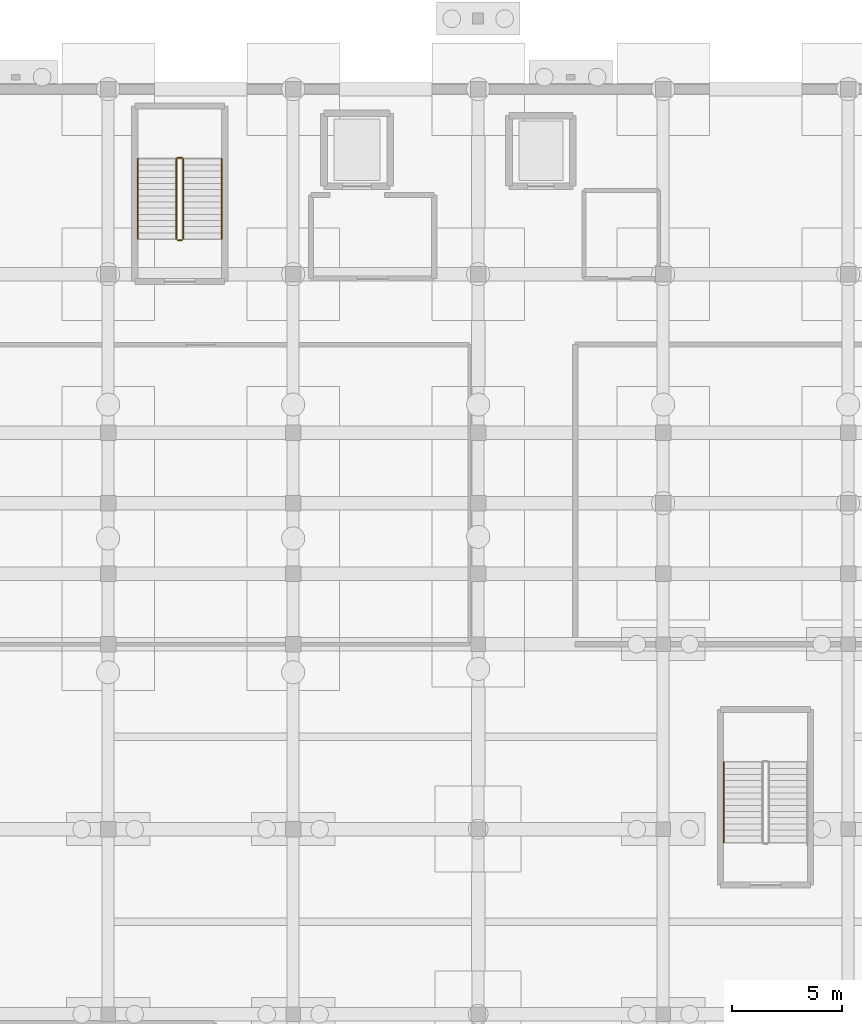
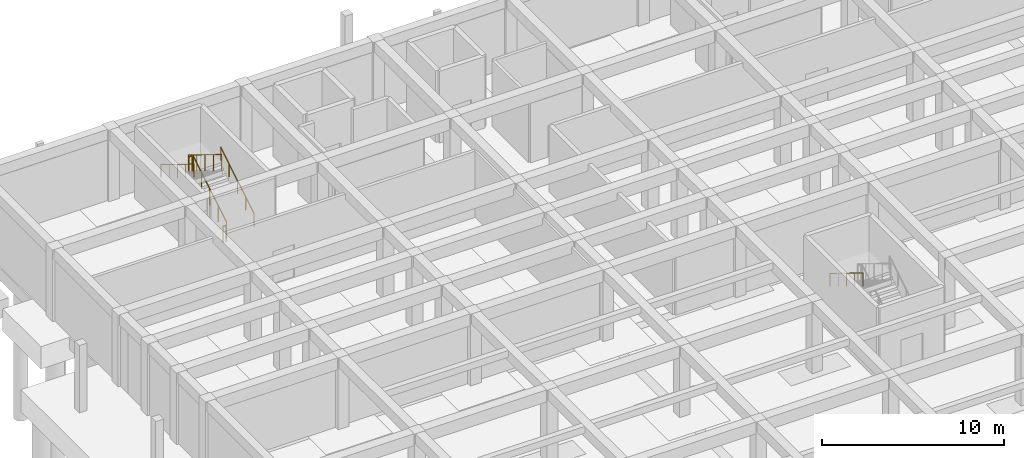
# One storey, part 40 of 51: 7 railings.
"""IFC4 building model written with IfcOpenShell, lengths in metres."""

from ifc_helpers import new_model, si_unit, direction, frame, origin, origin_2d, place, context, subcontext, project, spatial, circle, extrude, material, type_object, element, save


model = new_model("IFC4")

# Units and contexts
model_context = context("Model", 3, precision=1e-05, world=origin(), true_north=direction((0.0, 1.0)))
body_context = subcontext(model_context, "Body", "Model", "MODEL_VIEW")
ifc_project = project(units=[si_unit("LENGTHUNIT", "METRE"), si_unit("AREAUNIT", "SQUARE_METRE"), si_unit("VOLUMEUNIT", "CUBIC_METRE"), si_unit("PLANEANGLEUNIT", "RADIAN"), si_unit("MASSUNIT", "GRAM", prefix="KILO")], contexts=[model_context])

# Site, building, storey
site_placement = place(None, origin())
site = spatial("IfcSite", under=ifc_project, at=site_placement, CompositionType="ELEMENT")
building_placement = place(site_placement, origin())
building = spatial("IfcBuilding", under=site, at=building_placement, Name="Varncliffe General Hospital", CompositionType="ELEMENT")
storey_placement = place(building_placement, frame((0.0, 0.0, -4.800048828125)))
storey = spatial("IfcBuildingStorey", under=building, at=storey_placement, Name="B1", CompositionType="ELEMENT", Elevation=-4.800048828125)

# Railings
ifc_material = material(Name="Powder-coated hospital steel guardrail and handrail", Category="steel")
railing_type_1 = type_object("IfcRailingType", Name="Stair and Ramp Handrail HR46", PredefinedType="HANDRAIL", material=ifc_material)
railing_1_placement = place(storey_placement, frame((13.550048828125, 118.0, 0.346923828125)))
element("IfcRailing", 1, at=railing_1_placement, inside=storey, type_object=railing_type_1, Name="B1 ST01 stair handrail 1", PredefinedType="HANDRAIL", context=body_context, shape_type="SweptSolid", body=[
    extrude(circle(Radius=0.02392578125, at=origin_2d()), frame((0.0, 0.0, 0.8759765625), z_axis=(0.0, 0.852850264322, 0.5221555579), x_axis=(-1.0, 0.0, 0.0)), (0.0, 0.0, 1.0), 4.267822265625),
    extrude(circle(Radius=0.02099609375, at=origin_2d()), origin(), (0.0, 0.0, 1.0), 0.851806640625),
    extrude(circle(Radius=0.02099609375, at=origin_2d()), frame((0.0, 0.909912109375, 0.55712890625)), (0.0, 0.0, 1.0), 0.851806640625),
    extrude(circle(Radius=0.02099609375, at=origin_2d()), frame((0.0, 1.81982421875, 1.1142578125)), (0.0, 0.0, 1.0), 0.851806640625),
    extrude(circle(Radius=0.02099609375, at=origin_2d()), frame((0.0, 2.72998046875, 1.67138671875)), (0.0, 0.0, 1.0), 0.851806640625),
    extrude(circle(Radius=0.02099609375, at=origin_2d()), frame((0.0, 3.639892578125, 2.228515625)), (0.0, 0.0, 1.0), 0.851806640625),
])
for number, where, name in (
    (2, (9.75, 121.639892578125, 2.746826171875), "B1 ST01 stair handrail 2"),
    (3, (36.35009765625, 94.239990234375, 2.746826171875), "B1 ST13 stair handrail 2"),
):
    element("IfcRailing", number, at=place(storey_placement, frame(where)), inside=storey, type_object=railing_type_1, Name=name, PredefinedType="HANDRAIL", context=body_context, shape_type="SweptSolid", body=[
        extrude(circle(Radius=0.02392578125, at=origin_2d()), frame((0.0, 0.0, 0.8759765625), z_axis=(0.0, -0.852824790078, 0.522197163366), x_axis=(1.0, 0.0, 0.0)), (0.0, 0.0, 1.0), 4.26806640625),
        extrude(circle(Radius=0.02099609375, at=origin_2d()), origin(), (0.0, 0.0, 1.0), 0.851806640625),
        extrude(circle(Radius=0.02099609375, at=origin_2d()), frame((0.0, -0.909912109375, 0.55712890625)), (0.0, 0.0, 1.0), 0.851806640625),
        extrude(circle(Radius=0.02099609375, at=origin_2d()), frame((0.0, -1.81982421875, 1.1142578125)), (0.0, 0.0, 1.0), 0.851806640625),
        extrude(circle(Radius=0.02099609375, at=origin_2d()), frame((0.0, -2.72998046875, 1.671630859375)), (0.0, 0.0, 1.0), 0.851806640625),
        extrude(circle(Radius=0.02099609375, at=origin_2d()), frame((0.0, -3.639892578125, 2.228759765625)), (0.0, 0.0, 1.0), 0.851806640625),
    ])
railing_type_2 = type_object("IfcRailingType", Name="Stairwell Guardrail SG49", PredefinedType="GUARDRAIL", material=ifc_material)
railing_2_placement = place(storey_placement, frame((11.800048828125, 118.0, 0.17138671875)))
element("IfcRailing", 4, at=railing_2_placement, inside=storey, type_object=railing_type_2, Name="B1 ST01 stair guard 1", PredefinedType="GUARDRAIL", context=body_context, shape_type="SweptSolid", body=[
    extrude(circle(Radius=0.02392578125, at=origin_2d()), frame((0.0, 0.0, 1.076171875), z_axis=(0.0, 0.852824790078, 0.522197163366), x_axis=(-1.0, 0.0, 0.0)), (0.0, 0.0, 1.0), 4.26806640625),
    extrude(circle(Radius=0.02099609375, at=origin_2d()), origin(), (0.0, 0.0, 1.0), 1.052001953125),
    extrude(circle(Radius=0.02099609375, at=origin_2d()), frame((0.0, 0.909912109375, 0.55712890625)), (0.0, 0.0, 1.0), 1.052001953125),
    extrude(circle(Radius=0.02099609375, at=origin_2d()), frame((0.0, 1.81982421875, 1.1142578125)), (0.0, 0.0, 1.0), 1.052001953125),
    extrude(circle(Radius=0.02099609375, at=origin_2d()), frame((0.0, 2.72998046875, 1.671630859375)), (0.0, 0.0, 1.0), 1.052001953125),
    extrude(circle(Radius=0.02099609375, at=origin_2d()), frame((0.0, 3.639892578125, 2.228759765625)), (0.0, 0.0, 1.0), 1.052001953125),
])
railing_3_placement = place(storey_placement, frame((11.75, 121.68994140625, 2.400146484375)))
element("IfcRailing", 5, at=railing_3_placement, inside=storey, type_object=railing_type_2, Name="B1 ST01 stair guard 2", PredefinedType="GUARDRAIL", context=body_context, shape_type="SweptSolid", body=[
    extrude(circle(Radius=0.02392578125, at=origin_2d()), frame((0.0, 0.0, 1.076171875), z_axis=(-1.0, 0.0, 0.0), x_axis=(0.0, -1.0, 0.0)), (0.0, 0.0, 1.0), 0.199951171875),
    extrude(circle(Radius=0.02099609375, at=origin_2d()), origin(), (0.0, 0.0, 1.0), 1.052001953125),
    extrude(circle(Radius=0.02099609375, at=origin_2d()), frame((-0.199951171875, 0.0, 0.0)), (0.0, 0.0, 1.0), 1.052001953125),
])
railing_4_placement = place(storey_placement, frame((11.5, 121.639892578125, 2.571533203125)))
element("IfcRailing", 6, at=railing_4_placement, inside=storey, type_object=railing_type_2, Name="B1 ST01 stair guard 3", PredefinedType="GUARDRAIL", context=body_context, shape_type="SweptSolid", body=[
    extrude(circle(Radius=0.02392578125, at=origin_2d()), frame((0.0, 0.0, 1.076171875), z_axis=(0.0, -0.852850264322, 0.5221555579), x_axis=(1.0, 0.0, 0.0)), (0.0, 0.0, 1.0), 4.267822265625),
    extrude(circle(Radius=0.02099609375, at=origin_2d()), origin(), (0.0, 0.0, 1.0), 1.052001953125),
    extrude(circle(Radius=0.02099609375, at=origin_2d()), frame((0.0, -0.909912109375, 0.55712890625)), (0.0, 0.0, 1.0), 1.052001953125),
    extrude(circle(Radius=0.02099609375, at=origin_2d()), frame((0.0, -1.81982421875, 1.1142578125)), (0.0, 0.0, 1.0), 1.052001953125),
    extrude(circle(Radius=0.02099609375, at=origin_2d()), frame((0.0, -2.72998046875, 1.67138671875)), (0.0, 0.0, 1.0), 1.052001953125),
    extrude(circle(Radius=0.02099609375, at=origin_2d()), frame((0.0, -3.639892578125, 2.228515625)), (0.0, 0.0, 1.0), 1.052001953125),
])
railing_5_placement = place(storey_placement, frame((11.75, 117.949951171875, 0.0)))
element("IfcRailing", 7, at=railing_5_placement, inside=storey, type_object=railing_type_2, Name="B1 ST01 stair guard 4", PredefinedType="GUARDRAIL", context=body_context, shape_type="SweptSolid", body=[
    extrude(circle(Radius=0.02392578125, at=origin_2d()), frame((0.0, 0.0, 1.076171875), z_axis=(-1.0, 0.0, 0.0), x_axis=(0.0, -1.0, 0.0)), (0.0, 0.0, 1.0), 0.199951171875),
    extrude(circle(Radius=0.02099609375, at=origin_2d()), origin(), (0.0, 0.0, 1.0), 1.052001953125),
    extrude(circle(Radius=0.02099609375, at=origin_2d()), frame((-0.199951171875, 0.0, 0.0)), (0.0, 0.0, 1.0), 1.052001953125),
])

save(model, "model.ifc")
